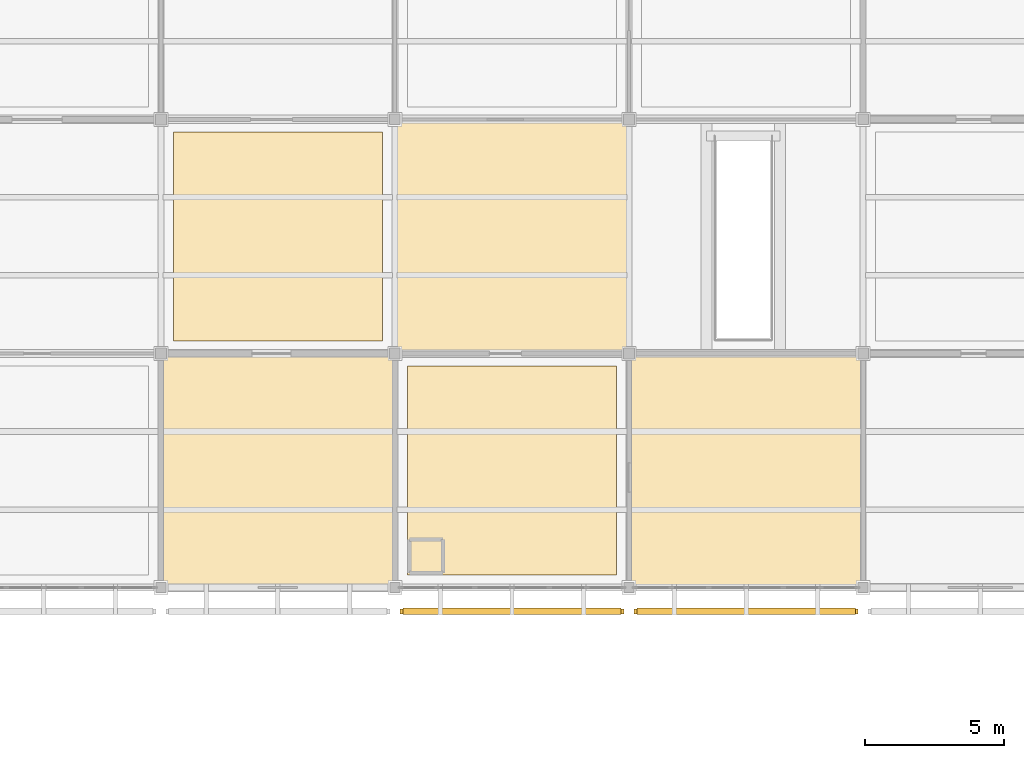
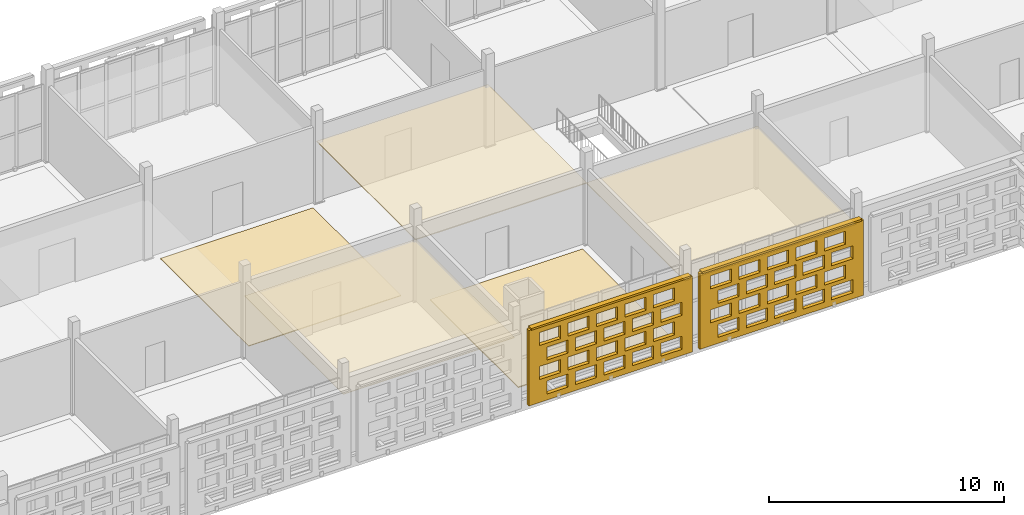
# One storey, part 151 of 203: 7 coverings, 2 shading devices, 40 openings.
"""IFC4 building model written with IfcOpenShell, lengths in metres."""

import ifcopenshell
import ifcopenshell.guid

model = None  # the IFC model being written
_history = None  # IfcOwnerHistory: only IFC2X3 demands one
_inside = {}  # id of a spatial element -> (the spatial element, [elements in it])
_under = {}  # id of a project, library or spatial element -> (it, [spatial elements below it])
_declared = {}  # id of a project -> (the project, [libraries it declares])
_typed = {}  # id of a type object -> (the type object, [elements of that type])
_made_of = {}  # id of a material, layer set ... -> (it, [elements and type objects made of it])


def new_model(schema):
    """Start an empty IFC model of exactly this schema.

    Asked for "IFC4X3", IfcOpenShell would pick the latest addendum, in which some entities
    have other attributes; the version numbers below select the first issue.
    IFC2X3 requires an IfcOwnerHistory on every rooted entity: one is made here for all.
    """
    global model, _history
    if schema == "IFC4X3":
        model = ifcopenshell.file(schema_version=(4, 3, 0, 0))
    else:
        model = ifcopenshell.file(schema=schema)
    _inside.clear()
    _under.clear()
    _declared.clear()
    _typed.clear()
    _made_of.clear()
    _history = None
    if model.schema == "IFC2X3":
        org = make("IfcOrganization", Name="unknown")
        user = make(
            "IfcPersonAndOrganization",
            ThePerson=make("IfcPerson", FamilyName="unknown"),
            TheOrganization=org,
        )
        app = make(
            "IfcApplication",
            ApplicationDeveloper=org,
            Version="unknown",
            ApplicationFullName="unknown",
            ApplicationIdentifier="unknown",
        )
        _history = make(
            "IfcOwnerHistory",
            OwningUser=user,
            OwningApplication=app,
            ChangeAction="ADDED",
            CreationDate=0,
        )
    return model


def make(cls, **values):
    """One entity of the class cls with the attributes given. An attribute that is None is left unset."""
    return model.create_entity(
        cls, **{name: value for name, value in values.items() if value is not None}
    )


def rooted(cls, **values):
    """An entity with a GlobalId (a new one), such as an element, a storey or a relation."""
    return make(cls, GlobalId=ifcopenshell.guid.new(), OwnerHistory=_history, **values)


def si_unit(unit_type, name, prefix=None):
    """IfcSIUnit, for example si_unit("LENGTHUNIT", "METRE", prefix="MILLI")."""
    return make("IfcSIUnit", UnitType=unit_type, Prefix=prefix, Name=name)


def assignment(units):
    """IfcUnitAssignment: the units of a project."""
    return None if units is None else make("IfcUnitAssignment", Units=units)


def point(xyz):
    """IfcCartesianPoint."""
    return None if xyz is None else make("IfcCartesianPoint", Coordinates=xyz)


def direction(xyz):
    """IfcDirection."""
    return None if xyz is None else make("IfcDirection", DirectionRatios=xyz)


def frame(location, z_axis=None, x_axis=None):
    """IfcAxis2Placement3D, a coordinate frame: its origin and axes. An axis left out is left unset."""
    return make(
        "IfcAxis2Placement3D",
        Location=point(location),
        Axis=direction(z_axis),
        RefDirection=direction(x_axis),
    )


def frame_2d(location, x_axis=None):
    """IfcAxis2Placement2D, a coordinate frame in the plane: its origin and x axis."""
    return make(
        "IfcAxis2Placement2D", Location=point(location), RefDirection=direction(x_axis)
    )


def origin():
    """The frame at (0, 0, 0) with its axes left unset."""
    return frame((0.0, 0.0, 0.0))


def origin_2d():
    """The frame at (0, 0) in the plane with its x axis left unset."""
    return frame_2d((0.0, 0.0))


def place(relative_to, where):
    """IfcLocalPlacement: puts the frame where relative to a parent placement (None: the world)."""
    return make(
        "IfcLocalPlacement", PlacementRelTo=relative_to, RelativePlacement=where
    )


def context(
    kind, dimensions, precision=None, world=None, true_north=None, identifier=None
):
    """IfcGeometricRepresentationContext, for example the 3D "Model" context."""
    return make(
        "IfcGeometricRepresentationContext",
        ContextIdentifier=identifier,
        ContextType=kind,
        CoordinateSpaceDimension=dimensions,
        Precision=precision,
        WorldCoordinateSystem=world,
        TrueNorth=true_north,
    )


def subcontext(parent, identifier, kind, view, scale=None):
    """IfcGeometricRepresentationSubContext, for example "Body" below "Model"."""
    return make(
        "IfcGeometricRepresentationSubContext",
        ContextIdentifier=identifier,
        ContextType=kind,
        ParentContext=parent,
        TargetScale=scale,
        TargetView=view,
    )


def project(units=None, contexts=None):
    """IfcProject with its units and contexts."""
    return rooted(
        "IfcProject",
        Name="project",
        RepresentationContexts=contexts,
        UnitsInContext=assignment(units),
    )


def spatial(cls, under=None, at=None, **own):
    """A site, building, storey or space (cls), placed at a placement, below another one or the project."""
    s = rooted(cls, ObjectPlacement=at, **own)
    if under is not None:
        _under.setdefault(under.id(), (under, []))[1].append(s)
    return s


def profile(cls, at=None, kind="AREA", **sizes):
    """A parametric profile (cls). Its sizes go by their IFC names, for example OverallWidth=200.0."""
    return make(cls, ProfileType=kind, Position=at, **sizes)


def rectangle(**sizes):
    """IfcRectangleProfileDef."""
    return profile("IfcRectangleProfileDef", **sizes)


def extrude(swept, where, along, depth):
    """IfcExtrudedAreaSolid: the profile swept, set in the frame where, extruded along a direction by depth."""
    return make(
        "IfcExtrudedAreaSolid",
        SweptArea=swept,
        Position=where,
        ExtrudedDirection=direction(along),
        Depth=depth,
    )


def shape(context_of_items, identifier, shape_type, items):
    """IfcShapeRepresentation: the items that make up one representation, for example the "Body"."""
    return make(
        "IfcShapeRepresentation",
        ContextOfItems=context_of_items,
        RepresentationIdentifier=identifier,
        RepresentationType=shape_type,
        Items=items,
    )


def material(Name=None, Category=None):
    """IfcMaterial."""
    return make("IfcMaterial", Name=Name, Category=Category)


def layer(
    of_material, thickness, ventilated=None, Name=None, Category=None, Priority=None
):
    """IfcMaterialLayer: one layer of a wall or slab, of a material (None: an air gap)."""
    return make(
        "IfcMaterialLayer",
        Material=of_material,
        LayerThickness=thickness,
        IsVentilated=ventilated,
        Name=Name,
        Category=Category,
        Priority=Priority,
    )


def layer_set(layers, Name=None):
    """IfcMaterialLayerSet."""
    return make("IfcMaterialLayerSet", MaterialLayers=layers, LayerSetName=Name)


def made_of(thing, what):
    """Note that an element or type object is made of a material, layer set ...; save() writes the relation."""
    if what is not None:
        _made_of.setdefault(what.id(), (what, []))[1].append(thing)
    return thing


def type_object(cls, material=None, **own):
    """A type object (cls), such as IfcWallType, which elements share."""
    return made_of(rooted(cls, **own), material)


def element(
    cls,
    number,
    at=None,
    inside=None,
    cuts=None,
    type_object=None,
    material=None,
    context=None,
    identifier="Body",
    shape_type=None,
    held_by="IfcProductDefinitionShape",
    body=None,
    shapes=None,
    **own,
):
    """One element of the class cls, such as IfcWall. Its Tag is "e" and its number.

    at: its placement. inside: the storey or other place that contains it. cuts: it is an
    opening in that element (IfcRelVoidsElement). A single representation is given by context,
    identifier, shape_type and body (its items); several are given by shapes. held_by: the class
    of the entity that holds the representations. save() writes the other relations.
    """
    e = rooted(cls, Tag="e%d" % number, ObjectPlacement=at, **own)
    if body is not None:
        shapes = [shape(context, identifier, shape_type, body)]
    if shapes is not None:
        e.Representation = make(held_by, Representations=shapes)
    if inside is not None:
        _inside.setdefault(inside.id(), (inside, []))[1].append(e)
    if cuts is not None:
        rooted(
            "IfcRelVoidsElement", RelatingBuildingElement=cuts, RelatedOpeningElement=e
        )
    if type_object is not None:
        _typed.setdefault(type_object.id(), (type_object, []))[1].append(e)
    return made_of(e, material)


def aggregate(whole, parts):
    """IfcRelAggregates: a whole, such as a stair, and the parts it consists of."""
    return rooted("IfcRelAggregates", RelatingObject=whole, RelatedObjects=parts)


def save(model, path):
    """Write the relations noted so far, then the file.

    IfcRelAggregates (storeys below a building ...), IfcRelContainedInSpatialStructure (elements
    in a storey), IfcRelDefinesByType, IfcRelAssociatesMaterial and IfcRelDeclares: one each for
    every whole, place, type object, material and project.
    """
    for whole, parts in _under.values():
        aggregate(whole, parts)
    for where, things in _inside.values():
        rooted(
            "IfcRelContainedInSpatialStructure",
            RelatedElements=things,
            RelatingStructure=where,
        )
    for kind, things in _typed.values():
        rooted("IfcRelDefinesByType", RelatedObjects=things, RelatingType=kind)
    for what, things in _made_of.values():
        rooted("IfcRelAssociatesMaterial", RelatedObjects=things, RelatingMaterial=what)
    for by, libraries in _declared.values():
        rooted("IfcRelDeclares", RelatingContext=by, RelatedDefinitions=libraries)
    model.write(path)


model = new_model("IFC4")

# Units and contexts
model_context = context("Model", 3, precision=1e-05, world=origin(), true_north=direction((0.0, 1.0)))
body_context = subcontext(model_context, "Body", "Model", "MODEL_VIEW")
ifc_project = project(units=[si_unit("LENGTHUNIT", "METRE"), si_unit("AREAUNIT", "SQUARE_METRE"), si_unit("VOLUMEUNIT", "CUBIC_METRE"), si_unit("PLANEANGLEUNIT", "RADIAN"), si_unit("MASSUNIT", "GRAM", prefix="KILO")], contexts=[model_context])

# Site, building, storey
site_placement = place(None, origin())
site = spatial("IfcSite", under=ifc_project, at=site_placement, CompositionType="ELEMENT")
building_placement = place(site_placement, origin())
building = spatial("IfcBuilding", under=site, at=building_placement, Name="Varnapada Polytechnic", CompositionType="ELEMENT")
storey_placement = place(building_placement, frame((0.0, 0.0, 4.800048828125)))
storey = spatial("IfcBuildingStorey", under=building, at=storey_placement, Name="L01", CompositionType="ELEMENT", Elevation=4.800048828125)

# Coverings
ifc_material_1 = material(Name="End-Grain Timber Studio Block Flooring", Category="wood")
ifc_layer_1 = layer(ifc_material_1, 0.054931640625)
ifc_layer_set_1 = layer_set([ifc_layer_1], Name="End-Grain Timber Studio Block Flooring")
covering_type_1 = type_object("IfcCoveringType", Name="Floor Finish FLR-04", PredefinedType="FLOORING", material=ifc_layer_set_1)
covering_1_placement = place(storey_placement, frame((105.0, 21.0, 0.0), z_axis=(0.0, 0.0, 1.0), x_axis=(1.0, 0.0, 0.0)))
element("IfcCovering", 1, at=covering_1_placement, inside=storey, type_object=covering_type_1, Name="L01 floor finish panel (13,3)", PredefinedType="FLOORING", context=body_context, shape_type="SweptSolid", body=[
    extrude(rectangle(XDim=7.5, YDim=7.5, at=origin_2d()), origin(), (0.0, 0.0, 1.0), 0.054931640625),
])
ifc_material_2 = material(Name="Acoustic Rubber Seminar Flooring")
ifc_layer_2 = layer(ifc_material_2, 0.0400390625)
ifc_layer_set_2 = layer_set([ifc_layer_2], Name="Acoustic Rubber Seminar Flooring")
covering_type_2 = type_object("IfcCoveringType", Name="Floor Finish FLR-06", PredefinedType="FLOORING", material=ifc_layer_set_2)
covering_2_placement = place(storey_placement, frame((96.60009765625, 29.39990234375, 0.0), z_axis=(0.0, 0.0, 1.0), x_axis=(1.0, 0.0, 0.0)))
element("IfcCovering", 2, at=covering_2_placement, inside=storey, type_object=covering_type_2, Name="L01 floor finish panel (12,4)", PredefinedType="FLOORING", context=body_context, shape_type="SweptSolid", body=[
    extrude(rectangle(XDim=7.5, YDim=7.5, at=origin_2d()), origin(), (0.0, 0.0, 1.0), 0.0400390625),
])
ifc_material_3 = material(Name="Perforated Timber Slatted Baffle Ceiling", Category="wood")
ifc_layer_3 = layer(ifc_material_3, 0.050048828125)
ifc_layer_set_3 = layer_set([ifc_layer_3], Name="Perforated Timber Slatted Baffle Ceiling")
covering_type_3 = type_object("IfcCoveringType", Name="Suspended Ceiling CLG-02", PredefinedType="CEILING", material=ifc_layer_set_3)
covering_3_placement = place(storey_placement, frame((105.0, 29.39990234375, 3.02490234375), z_axis=(0.0, 0.0, 1.0), x_axis=(1.0, 0.0, 0.0)))
element("IfcCovering", 3, at=covering_3_placement, inside=storey, type_object=covering_type_3, Name="L01 suspended acoustic ceiling (13,4)", PredefinedType="CEILING", context=body_context, shape_type="SweptSolid", body=[
    extrude(rectangle(XDim=8.419921875, YDim=8.419921875, at=origin_2d()), origin(), (0.0, 0.0, 1.0), 0.050048828125),
])
ifc_material_4 = material(Name="Moisture-Resistant Aluminum Baffle Ceiling", Category="aluminium")
ifc_layer_4 = layer(ifc_material_4, 0.030029296875)
ifc_layer_set_4 = layer_set([ifc_layer_4], Name="Moisture-Resistant Aluminum Baffle Ceiling")
covering_type_4 = type_object("IfcCoveringType", Name="Suspended Ceiling CLG-03", PredefinedType="CEILING", material=ifc_layer_set_4)
covering_4_placement = place(storey_placement, frame((96.60009765625, 21.0, 3.03515625), z_axis=(0.0, 0.0, 1.0), x_axis=(1.0, 0.0, 0.0)))
element("IfcCovering", 4, at=covering_4_placement, inside=storey, type_object=covering_type_4, Name="L01 suspended acoustic ceiling (12,3)", PredefinedType="CEILING", context=body_context, shape_type="SweptSolid", body=[
    extrude(rectangle(XDim=8.419921875, YDim=8.419921875, at=origin_2d()), origin(), (0.0, 0.0, 1.0), 0.030029296875),
])
ifc_material_5 = material(Name="Cleanroom Laboratory Metal Pan Ceiling")
ifc_layer_5 = layer(ifc_material_5, 0.034912109375)
ifc_layer_set_5 = layer_set([ifc_layer_5], Name="Cleanroom Laboratory Metal Pan Ceiling")
covering_type_5 = type_object("IfcCoveringType", Name="Suspended Ceiling CLG-06", PredefinedType="CEILING", material=ifc_layer_set_5)
covering_5_placement = place(storey_placement, frame((113.39990234375, 21.0, 3.03271484375), z_axis=(0.0, 0.0, 1.0), x_axis=(1.0, 0.0, 0.0)))
element("IfcCovering", 5, at=covering_5_placement, inside=storey, type_object=covering_type_5, Name="L01 suspended acoustic ceiling (14,3)", PredefinedType="CEILING", context=body_context, shape_type="SweptSolid", body=[
    extrude(rectangle(XDim=8.419921875, YDim=8.419921875, at=origin_2d()), origin(), (0.0, 0.0, 1.0), 0.034912109375),
])

# Covering, openings
ifc_material_6 = material(Name="Earth-toned architectural terracotta screen block", Category="masonry")
ifc_layer_6 = layer(ifc_material_6, 0.1201171875)
ifc_layer_set_6 = layer_set([ifc_layer_6], Name="Earth-toned architectural terracotta screen block")
covering_type_6 = type_object("IfcCoveringType", Name="Terracotta Screen Cladding CLD-01", PredefinedType="CLADDING", material=ifc_layer_set_6)
covering_6_placement = place(storey_placement, frame((109.02001953125, 15.949951171875, 0.0), z_axis=(0.0, 0.0, 1.0), x_axis=(-1.0, 0.0, 0.0)))
covering_6 = element("IfcCovering", 6, at=covering_6_placement, inside=storey, type_object=covering_type_6, Name="L01 perforated terracotta block screen (84)", PredefinedType="CLADDING", context=body_context, shape_type="SweptSolid", body=[
    extrude(rectangle(XDim=8.0400390625, YDim=0.179931640625, at=frame_2d((4.02001953125, 0.0))), origin(), (0.0, 0.0, 1.0), 3.919921875),
])
opening_1_placement = place(covering_6_placement, frame((0.52001953125, 0.0, 0.313720703125)))
element("IfcOpeningElement", 7, at=opening_1_placement, cuts=covering_6, Name="Screen perforation TBS-L01-083.1", PredefinedType="OPENING", context=body_context, shape_type="SweptSolid", body=[
    extrude(rectangle(XDim=1.0400390625, YDim=0.679931640625, at=frame_2d((0.52001953125, 0.33984375))), frame((0.0, 0.099853515625, 0.0), z_axis=(0.0, -1.0, 0.0), x_axis=(1.0, 0.0, 0.0)), (0.0, 0.0, 1.0), 0.199951171875),
])
opening_2_placement = place(covering_6_placement, frame((1.919921875, 0.0, 0.313720703125)))
element("IfcOpeningElement", 8, at=opening_2_placement, cuts=covering_6, Name="Screen perforation TBS-L01-083.2", PredefinedType="OPENING", context=body_context, shape_type="SweptSolid", body=[
    extrude(rectangle(XDim=1.0400390625, YDim=0.679931640625, at=frame_2d((0.52001953125, 0.33984375))), frame((0.0, 0.099853515625, 0.0), z_axis=(0.0, -1.0, 0.0), x_axis=(1.0, 0.0, 0.0)), (0.0, 0.0, 1.0), 0.199951171875),
])
opening_3_placement = place(covering_6_placement, frame((3.320068359375, 0.0, 0.313720703125)))
element("IfcOpeningElement", 9, at=opening_3_placement, cuts=covering_6, Name="Screen perforation TBS-L01-083.3", PredefinedType="OPENING", context=body_context, shape_type="SweptSolid", body=[
    extrude(rectangle(XDim=1.0400390625, YDim=0.679931640625, at=frame_2d((0.52001953125, 0.33984375))), frame((0.0, 0.099853515625, 0.0), z_axis=(0.0, -1.0, 0.0), x_axis=(1.0, 0.0, 0.0)), (0.0, 0.0, 1.0), 0.199951171875),
])
opening_4_placement = place(covering_6_placement, frame((4.719970703125, 0.0, 0.313720703125)))
element("IfcOpeningElement", 10, at=opening_4_placement, cuts=covering_6, Name="Screen perforation TBS-L01-083.4", PredefinedType="OPENING", context=body_context, shape_type="SweptSolid", body=[
    extrude(rectangle(XDim=1.0400390625, YDim=0.679931640625, at=frame_2d((0.52001953125, 0.33984375))), frame((0.0, 0.099853515625, 0.0), z_axis=(0.0, -1.0, 0.0), x_axis=(1.0, 0.0, 0.0)), (0.0, 0.0, 1.0), 0.199951171875),
])
opening_5_placement = place(covering_6_placement, frame((6.1201171875, 0.0, 0.313720703125)))
element("IfcOpeningElement", 11, at=opening_5_placement, cuts=covering_6, Name="Screen perforation TBS-L01-083.5", PredefinedType="OPENING", context=body_context, shape_type="SweptSolid", body=[
    extrude(rectangle(XDim=1.0400390625, YDim=0.679931640625, at=frame_2d((0.52001953125, 0.33984375))), frame((0.0, 0.099853515625, 0.0), z_axis=(0.0, -1.0, 0.0), x_axis=(1.0, 0.0, 0.0)), (0.0, 0.0, 1.0), 0.199951171875),
])
opening_6_placement = place(covering_6_placement, frame((0.8798828125, 0.0, 1.195556640625)))
element("IfcOpeningElement", 12, at=opening_6_placement, cuts=covering_6, Name="Screen perforation TBS-L01-083.6", PredefinedType="OPENING", context=body_context, shape_type="SweptSolid", body=[
    extrude(rectangle(XDim=1.0400390625, YDim=0.679931640625, at=frame_2d((0.52001953125, 0.33984375))), frame((0.0, 0.099853515625, 0.0), z_axis=(0.0, -1.0, 0.0), x_axis=(1.0, 0.0, 0.0)), (0.0, 0.0, 1.0), 0.199951171875),
])
opening_7_placement = place(covering_6_placement, frame((2.280029296875, 0.0, 1.195556640625)))
element("IfcOpeningElement", 13, at=opening_7_placement, cuts=covering_6, Name="Screen perforation TBS-L01-083.7", PredefinedType="OPENING", context=body_context, shape_type="SweptSolid", body=[
    extrude(rectangle(XDim=1.0400390625, YDim=0.679931640625, at=frame_2d((0.52001953125, 0.33984375))), frame((0.0, 0.099853515625, 0.0), z_axis=(0.0, -1.0, 0.0), x_axis=(1.0, 0.0, 0.0)), (0.0, 0.0, 1.0), 0.199951171875),
])
opening_8_placement = place(covering_6_placement, frame((3.679931640625, 0.0, 1.195556640625)))
element("IfcOpeningElement", 14, at=opening_8_placement, cuts=covering_6, Name="Screen perforation TBS-L01-083.8", PredefinedType="OPENING", context=body_context, shape_type="SweptSolid", body=[
    extrude(rectangle(XDim=1.0400390625, YDim=0.679931640625, at=frame_2d((0.52001953125, 0.33984375))), frame((0.0, 0.099853515625, 0.0), z_axis=(0.0, -1.0, 0.0), x_axis=(1.0, 0.0, 0.0)), (0.0, 0.0, 1.0), 0.199951171875),
])
opening_9_placement = place(covering_6_placement, frame((5.080078125, 0.0, 1.195556640625)))
element("IfcOpeningElement", 15, at=opening_9_placement, cuts=covering_6, Name="Screen perforation TBS-L01-083.9", PredefinedType="OPENING", context=body_context, shape_type="SweptSolid", body=[
    extrude(rectangle(XDim=1.0400390625, YDim=0.679931640625, at=frame_2d((0.52001953125, 0.33984375))), frame((0.0, 0.099853515625, 0.0), z_axis=(0.0, -1.0, 0.0), x_axis=(1.0, 0.0, 0.0)), (0.0, 0.0, 1.0), 0.199951171875),
])
opening_10_placement = place(covering_6_placement, frame((6.47998046875, 0.0, 1.195556640625)))
element("IfcOpeningElement", 16, at=opening_10_placement, cuts=covering_6, Name="Screen perforation TBS-L01-083.10", PredefinedType="OPENING", context=body_context, shape_type="SweptSolid", body=[
    extrude(rectangle(XDim=1.0400390625, YDim=0.679931640625, at=frame_2d((0.52001953125, 0.33984375))), frame((0.0, 0.099853515625, 0.0), z_axis=(0.0, -1.0, 0.0), x_axis=(1.0, 0.0, 0.0)), (0.0, 0.0, 1.0), 0.199951171875),
])
opening_11_placement = place(covering_6_placement, frame((0.52001953125, 0.0, 2.07763671875)))
element("IfcOpeningElement", 17, at=opening_11_placement, cuts=covering_6, Name="Screen perforation TBS-L01-083.11", PredefinedType="OPENING", context=body_context, shape_type="SweptSolid", body=[
    extrude(rectangle(XDim=1.0400390625, YDim=0.679931640625, at=frame_2d((0.52001953125, 0.33984375))), frame((0.0, 0.099853515625, 0.0), z_axis=(0.0, -1.0, 0.0), x_axis=(1.0, 0.0, 0.0)), (0.0, 0.0, 1.0), 0.199951171875),
])
opening_12_placement = place(covering_6_placement, frame((1.919921875, 0.0, 2.07763671875)))
element("IfcOpeningElement", 18, at=opening_12_placement, cuts=covering_6, Name="Screen perforation TBS-L01-083.12", PredefinedType="OPENING", context=body_context, shape_type="SweptSolid", body=[
    extrude(rectangle(XDim=1.0400390625, YDim=0.679931640625, at=frame_2d((0.52001953125, 0.33984375))), frame((0.0, 0.099853515625, 0.0), z_axis=(0.0, -1.0, 0.0), x_axis=(1.0, 0.0, 0.0)), (0.0, 0.0, 1.0), 0.199951171875),
])
opening_13_placement = place(covering_6_placement, frame((3.320068359375, 0.0, 2.07763671875)))
element("IfcOpeningElement", 19, at=opening_13_placement, cuts=covering_6, Name="Screen perforation TBS-L01-083.13", PredefinedType="OPENING", context=body_context, shape_type="SweptSolid", body=[
    extrude(rectangle(XDim=1.0400390625, YDim=0.679931640625, at=frame_2d((0.52001953125, 0.33984375))), frame((0.0, 0.099853515625, 0.0), z_axis=(0.0, -1.0, 0.0), x_axis=(1.0, 0.0, 0.0)), (0.0, 0.0, 1.0), 0.199951171875),
])
opening_14_placement = place(covering_6_placement, frame((4.719970703125, 0.0, 2.07763671875)))
element("IfcOpeningElement", 20, at=opening_14_placement, cuts=covering_6, Name="Screen perforation TBS-L01-083.14", PredefinedType="OPENING", context=body_context, shape_type="SweptSolid", body=[
    extrude(rectangle(XDim=1.0400390625, YDim=0.679931640625, at=frame_2d((0.52001953125, 0.33984375))), frame((0.0, 0.099853515625, 0.0), z_axis=(0.0, -1.0, 0.0), x_axis=(1.0, 0.0, 0.0)), (0.0, 0.0, 1.0), 0.199951171875),
])
opening_15_placement = place(covering_6_placement, frame((6.1201171875, 0.0, 2.07763671875)))
element("IfcOpeningElement", 21, at=opening_15_placement, cuts=covering_6, Name="Screen perforation TBS-L01-083.15", PredefinedType="OPENING", context=body_context, shape_type="SweptSolid", body=[
    extrude(rectangle(XDim=1.0400390625, YDim=0.679931640625, at=frame_2d((0.52001953125, 0.33984375))), frame((0.0, 0.099853515625, 0.0), z_axis=(0.0, -1.0, 0.0), x_axis=(1.0, 0.0, 0.0)), (0.0, 0.0, 1.0), 0.199951171875),
])
opening_16_placement = place(covering_6_placement, frame((0.8798828125, 0.0, 2.959716796875)))
element("IfcOpeningElement", 22, at=opening_16_placement, cuts=covering_6, Name="Screen perforation TBS-L01-083.16", PredefinedType="OPENING", context=body_context, shape_type="SweptSolid", body=[
    extrude(rectangle(XDim=1.0400390625, YDim=0.679931640625, at=frame_2d((0.52001953125, 0.33984375))), frame((0.0, 0.099853515625, 0.0), z_axis=(0.0, -1.0, 0.0), x_axis=(1.0, 0.0, 0.0)), (0.0, 0.0, 1.0), 0.199951171875),
])
opening_17_placement = place(covering_6_placement, frame((2.280029296875, 0.0, 2.959716796875)))
element("IfcOpeningElement", 23, at=opening_17_placement, cuts=covering_6, Name="Screen perforation TBS-L01-083.17", PredefinedType="OPENING", context=body_context, shape_type="SweptSolid", body=[
    extrude(rectangle(XDim=1.0400390625, YDim=0.679931640625, at=frame_2d((0.52001953125, 0.33984375))), frame((0.0, 0.099853515625, 0.0), z_axis=(0.0, -1.0, 0.0), x_axis=(1.0, 0.0, 0.0)), (0.0, 0.0, 1.0), 0.199951171875),
])
opening_18_placement = place(covering_6_placement, frame((3.679931640625, 0.0, 2.959716796875)))
element("IfcOpeningElement", 24, at=opening_18_placement, cuts=covering_6, Name="Screen perforation TBS-L01-083.18", PredefinedType="OPENING", context=body_context, shape_type="SweptSolid", body=[
    extrude(rectangle(XDim=1.0400390625, YDim=0.679931640625, at=frame_2d((0.52001953125, 0.33984375))), frame((0.0, 0.099853515625, 0.0), z_axis=(0.0, -1.0, 0.0), x_axis=(1.0, 0.0, 0.0)), (0.0, 0.0, 1.0), 0.199951171875),
])
opening_19_placement = place(covering_6_placement, frame((5.080078125, 0.0, 2.959716796875)))
element("IfcOpeningElement", 25, at=opening_19_placement, cuts=covering_6, Name="Screen perforation TBS-L01-083.19", PredefinedType="OPENING", context=body_context, shape_type="SweptSolid", body=[
    extrude(rectangle(XDim=1.0400390625, YDim=0.679931640625, at=frame_2d((0.52001953125, 0.33984375))), frame((0.0, 0.099853515625, 0.0), z_axis=(0.0, -1.0, 0.0), x_axis=(1.0, 0.0, 0.0)), (0.0, 0.0, 1.0), 0.199951171875),
])
opening_20_placement = place(covering_6_placement, frame((6.47998046875, 0.0, 2.959716796875)))
element("IfcOpeningElement", 26, at=opening_20_placement, cuts=covering_6, Name="Screen perforation TBS-L01-083.20", PredefinedType="OPENING", context=body_context, shape_type="SweptSolid", body=[
    extrude(rectangle(XDim=1.0400390625, YDim=0.679931640625, at=frame_2d((0.52001953125, 0.33984375))), frame((0.0, 0.099853515625, 0.0), z_axis=(0.0, -1.0, 0.0), x_axis=(1.0, 0.0, 0.0)), (0.0, 0.0, 1.0), 0.199951171875),
])

covering_7_placement = place(storey_placement, frame((117.419921875, 15.949951171875, 0.0), z_axis=(0.0, 0.0, 1.0), x_axis=(-1.0, 0.0, 0.0)))
covering_7 = element("IfcCovering", 27, at=covering_7_placement, inside=storey, type_object=covering_type_6, Name="L01 perforated terracotta block screen (90)", PredefinedType="CLADDING", context=body_context, shape_type="SweptSolid", body=[
    extrude(rectangle(XDim=8.0400390625, YDim=0.179931640625, at=frame_2d((4.02001953125, 0.0))), origin(), (0.0, 0.0, 1.0), 3.919921875),
])
opening_21_placement = place(covering_7_placement, frame((0.52001953125, 0.0, 0.313720703125)))
element("IfcOpeningElement", 28, at=opening_21_placement, cuts=covering_7, Name="Screen perforation TBS-L01-089.1", PredefinedType="OPENING", context=body_context, shape_type="SweptSolid", body=[
    extrude(rectangle(XDim=1.0400390625, YDim=0.679931640625, at=frame_2d((0.52001953125, 0.33984375))), frame((0.0, 0.099853515625, 0.0), z_axis=(0.0, -1.0, 0.0), x_axis=(1.0, 0.0, 0.0)), (0.0, 0.0, 1.0), 0.199951171875),
])
opening_22_placement = place(covering_7_placement, frame((1.919921875, 0.0, 0.313720703125)))
element("IfcOpeningElement", 29, at=opening_22_placement, cuts=covering_7, Name="Screen perforation TBS-L01-089.2", PredefinedType="OPENING", context=body_context, shape_type="SweptSolid", body=[
    extrude(rectangle(XDim=1.0400390625, YDim=0.679931640625, at=frame_2d((0.52001953125, 0.33984375))), frame((0.0, 0.099853515625, 0.0), z_axis=(0.0, -1.0, 0.0), x_axis=(1.0, 0.0, 0.0)), (0.0, 0.0, 1.0), 0.199951171875),
])
opening_23_placement = place(covering_7_placement, frame((3.320068359375, 0.0, 0.313720703125)))
element("IfcOpeningElement", 30, at=opening_23_placement, cuts=covering_7, Name="Screen perforation TBS-L01-089.3", PredefinedType="OPENING", context=body_context, shape_type="SweptSolid", body=[
    extrude(rectangle(XDim=1.0400390625, YDim=0.679931640625, at=frame_2d((0.52001953125, 0.33984375))), frame((0.0, 0.099853515625, 0.0), z_axis=(0.0, -1.0, 0.0), x_axis=(1.0, 0.0, 0.0)), (0.0, 0.0, 1.0), 0.199951171875),
])
opening_24_placement = place(covering_7_placement, frame((4.719970703125, 0.0, 0.313720703125)))
element("IfcOpeningElement", 31, at=opening_24_placement, cuts=covering_7, Name="Screen perforation TBS-L01-089.4", PredefinedType="OPENING", context=body_context, shape_type="SweptSolid", body=[
    extrude(rectangle(XDim=1.0400390625, YDim=0.679931640625, at=frame_2d((0.52001953125, 0.33984375))), frame((0.0, 0.099853515625, 0.0), z_axis=(0.0, -1.0, 0.0), x_axis=(1.0, 0.0, 0.0)), (0.0, 0.0, 1.0), 0.199951171875),
])
opening_25_placement = place(covering_7_placement, frame((6.1201171875, 0.0, 0.313720703125)))
element("IfcOpeningElement", 32, at=opening_25_placement, cuts=covering_7, Name="Screen perforation TBS-L01-089.5", PredefinedType="OPENING", context=body_context, shape_type="SweptSolid", body=[
    extrude(rectangle(XDim=1.0400390625, YDim=0.679931640625, at=frame_2d((0.52001953125, 0.33984375))), frame((0.0, 0.099853515625, 0.0), z_axis=(0.0, -1.0, 0.0), x_axis=(1.0, 0.0, 0.0)), (0.0, 0.0, 1.0), 0.199951171875),
])
opening_26_placement = place(covering_7_placement, frame((0.8798828125, 0.0, 1.195556640625)))
element("IfcOpeningElement", 33, at=opening_26_placement, cuts=covering_7, Name="Screen perforation TBS-L01-089.6", PredefinedType="OPENING", context=body_context, shape_type="SweptSolid", body=[
    extrude(rectangle(XDim=1.0400390625, YDim=0.679931640625, at=frame_2d((0.52001953125, 0.33984375))), frame((0.0, 0.099853515625, 0.0), z_axis=(0.0, -1.0, 0.0), x_axis=(1.0, 0.0, 0.0)), (0.0, 0.0, 1.0), 0.199951171875),
])
opening_27_placement = place(covering_7_placement, frame((2.280029296875, 0.0, 1.195556640625)))
element("IfcOpeningElement", 34, at=opening_27_placement, cuts=covering_7, Name="Screen perforation TBS-L01-089.7", PredefinedType="OPENING", context=body_context, shape_type="SweptSolid", body=[
    extrude(rectangle(XDim=1.0400390625, YDim=0.679931640625, at=frame_2d((0.52001953125, 0.33984375))), frame((0.0, 0.099853515625, 0.0), z_axis=(0.0, -1.0, 0.0), x_axis=(1.0, 0.0, 0.0)), (0.0, 0.0, 1.0), 0.199951171875),
])
opening_28_placement = place(covering_7_placement, frame((3.679931640625, 0.0, 1.195556640625)))
element("IfcOpeningElement", 35, at=opening_28_placement, cuts=covering_7, Name="Screen perforation TBS-L01-089.8", PredefinedType="OPENING", context=body_context, shape_type="SweptSolid", body=[
    extrude(rectangle(XDim=1.0400390625, YDim=0.679931640625, at=frame_2d((0.52001953125, 0.33984375))), frame((0.0, 0.099853515625, 0.0), z_axis=(0.0, -1.0, 0.0), x_axis=(1.0, 0.0, 0.0)), (0.0, 0.0, 1.0), 0.199951171875),
])
opening_29_placement = place(covering_7_placement, frame((5.080078125, 0.0, 1.195556640625)))
element("IfcOpeningElement", 36, at=opening_29_placement, cuts=covering_7, Name="Screen perforation TBS-L01-089.9", PredefinedType="OPENING", context=body_context, shape_type="SweptSolid", body=[
    extrude(rectangle(XDim=1.0400390625, YDim=0.679931640625, at=frame_2d((0.52001953125, 0.33984375))), frame((0.0, 0.099853515625, 0.0), z_axis=(0.0, -1.0, 0.0), x_axis=(1.0, 0.0, 0.0)), (0.0, 0.0, 1.0), 0.199951171875),
])
opening_30_placement = place(covering_7_placement, frame((6.47998046875, 0.0, 1.195556640625)))
element("IfcOpeningElement", 37, at=opening_30_placement, cuts=covering_7, Name="Screen perforation TBS-L01-089.10", PredefinedType="OPENING", context=body_context, shape_type="SweptSolid", body=[
    extrude(rectangle(XDim=1.0400390625, YDim=0.679931640625, at=frame_2d((0.52001953125, 0.33984375))), frame((0.0, 0.099853515625, 0.0), z_axis=(0.0, -1.0, 0.0), x_axis=(1.0, 0.0, 0.0)), (0.0, 0.0, 1.0), 0.199951171875),
])
opening_31_placement = place(covering_7_placement, frame((0.52001953125, 0.0, 2.07763671875)))
element("IfcOpeningElement", 38, at=opening_31_placement, cuts=covering_7, Name="Screen perforation TBS-L01-089.11", PredefinedType="OPENING", context=body_context, shape_type="SweptSolid", body=[
    extrude(rectangle(XDim=1.0400390625, YDim=0.679931640625, at=frame_2d((0.52001953125, 0.33984375))), frame((0.0, 0.099853515625, 0.0), z_axis=(0.0, -1.0, 0.0), x_axis=(1.0, 0.0, 0.0)), (0.0, 0.0, 1.0), 0.199951171875),
])
opening_32_placement = place(covering_7_placement, frame((1.919921875, 0.0, 2.07763671875)))
element("IfcOpeningElement", 39, at=opening_32_placement, cuts=covering_7, Name="Screen perforation TBS-L01-089.12", PredefinedType="OPENING", context=body_context, shape_type="SweptSolid", body=[
    extrude(rectangle(XDim=1.0400390625, YDim=0.679931640625, at=frame_2d((0.52001953125, 0.33984375))), frame((0.0, 0.099853515625, 0.0), z_axis=(0.0, -1.0, 0.0), x_axis=(1.0, 0.0, 0.0)), (0.0, 0.0, 1.0), 0.199951171875),
])
opening_33_placement = place(covering_7_placement, frame((3.320068359375, 0.0, 2.07763671875)))
element("IfcOpeningElement", 40, at=opening_33_placement, cuts=covering_7, Name="Screen perforation TBS-L01-089.13", PredefinedType="OPENING", context=body_context, shape_type="SweptSolid", body=[
    extrude(rectangle(XDim=1.0400390625, YDim=0.679931640625, at=frame_2d((0.52001953125, 0.33984375))), frame((0.0, 0.099853515625, 0.0), z_axis=(0.0, -1.0, 0.0), x_axis=(1.0, 0.0, 0.0)), (0.0, 0.0, 1.0), 0.199951171875),
])
opening_34_placement = place(covering_7_placement, frame((4.719970703125, 0.0, 2.07763671875)))
element("IfcOpeningElement", 41, at=opening_34_placement, cuts=covering_7, Name="Screen perforation TBS-L01-089.14", PredefinedType="OPENING", context=body_context, shape_type="SweptSolid", body=[
    extrude(rectangle(XDim=1.0400390625, YDim=0.679931640625, at=frame_2d((0.52001953125, 0.33984375))), frame((0.0, 0.099853515625, 0.0), z_axis=(0.0, -1.0, 0.0), x_axis=(1.0, 0.0, 0.0)), (0.0, 0.0, 1.0), 0.199951171875),
])
opening_35_placement = place(covering_7_placement, frame((6.1201171875, 0.0, 2.07763671875)))
element("IfcOpeningElement", 42, at=opening_35_placement, cuts=covering_7, Name="Screen perforation TBS-L01-089.15", PredefinedType="OPENING", context=body_context, shape_type="SweptSolid", body=[
    extrude(rectangle(XDim=1.0400390625, YDim=0.679931640625, at=frame_2d((0.52001953125, 0.33984375))), frame((0.0, 0.099853515625, 0.0), z_axis=(0.0, -1.0, 0.0), x_axis=(1.0, 0.0, 0.0)), (0.0, 0.0, 1.0), 0.199951171875),
])
opening_36_placement = place(covering_7_placement, frame((0.8798828125, 0.0, 2.959716796875)))
element("IfcOpeningElement", 43, at=opening_36_placement, cuts=covering_7, Name="Screen perforation TBS-L01-089.16", PredefinedType="OPENING", context=body_context, shape_type="SweptSolid", body=[
    extrude(rectangle(XDim=1.0400390625, YDim=0.679931640625, at=frame_2d((0.52001953125, 0.33984375))), frame((0.0, 0.099853515625, 0.0), z_axis=(0.0, -1.0, 0.0), x_axis=(1.0, 0.0, 0.0)), (0.0, 0.0, 1.0), 0.199951171875),
])
opening_37_placement = place(covering_7_placement, frame((2.280029296875, 0.0, 2.959716796875)))
element("IfcOpeningElement", 44, at=opening_37_placement, cuts=covering_7, Name="Screen perforation TBS-L01-089.17", PredefinedType="OPENING", context=body_context, shape_type="SweptSolid", body=[
    extrude(rectangle(XDim=1.0400390625, YDim=0.679931640625, at=frame_2d((0.52001953125, 0.33984375))), frame((0.0, 0.099853515625, 0.0), z_axis=(0.0, -1.0, 0.0), x_axis=(1.0, 0.0, 0.0)), (0.0, 0.0, 1.0), 0.199951171875),
])
opening_38_placement = place(covering_7_placement, frame((3.679931640625, 0.0, 2.959716796875)))
element("IfcOpeningElement", 45, at=opening_38_placement, cuts=covering_7, Name="Screen perforation TBS-L01-089.18", PredefinedType="OPENING", context=body_context, shape_type="SweptSolid", body=[
    extrude(rectangle(XDim=1.0400390625, YDim=0.679931640625, at=frame_2d((0.52001953125, 0.33984375))), frame((0.0, 0.099853515625, 0.0), z_axis=(0.0, -1.0, 0.0), x_axis=(1.0, 0.0, 0.0)), (0.0, 0.0, 1.0), 0.199951171875),
])
opening_39_placement = place(covering_7_placement, frame((5.080078125, 0.0, 2.959716796875)))
element("IfcOpeningElement", 46, at=opening_39_placement, cuts=covering_7, Name="Screen perforation TBS-L01-089.19", PredefinedType="OPENING", context=body_context, shape_type="SweptSolid", body=[
    extrude(rectangle(XDim=1.0400390625, YDim=0.679931640625, at=frame_2d((0.52001953125, 0.33984375))), frame((0.0, 0.099853515625, 0.0), z_axis=(0.0, -1.0, 0.0), x_axis=(1.0, 0.0, 0.0)), (0.0, 0.0, 1.0), 0.199951171875),
])
opening_40_placement = place(covering_7_placement, frame((6.47998046875, 0.0, 2.959716796875)))
element("IfcOpeningElement", 47, at=opening_40_placement, cuts=covering_7, Name="Screen perforation TBS-L01-089.20", PredefinedType="OPENING", context=body_context, shape_type="SweptSolid", body=[
    extrude(rectangle(XDim=1.0400390625, YDim=0.679931640625, at=frame_2d((0.52001953125, 0.33984375))), frame((0.0, 0.099853515625, 0.0), z_axis=(0.0, -1.0, 0.0), x_axis=(1.0, 0.0, 0.0)), (0.0, 0.0, 1.0), 0.199951171875),
])

# Shading devices
ifc_layer_7 = layer(ifc_material_6, 0.179931640625)
ifc_layer_set_7 = layer_set([ifc_layer_7], Name="Earth-toned architectural terracotta screen block")
shading_device_type = type_object("IfcShadingDeviceType", Name="Terracotta Screen SCR-02", PredefinedType="USERDEFINED", material=ifc_layer_set_7)
for number, where, z_axis, x_axis, name in (
    (48, (105.0, 15.949951171875, 3.909912109375), (0.0, 0.0, 1.0), (-1.0, 0.0, 0.0), "L01 perforated terracotta screen hood 163"),
    (49, (113.39990234375, 15.949951171875, 3.909912109375), (0.0, 0.0, 1.0), (-1.0, 0.0, 0.0), "L01 perforated terracotta screen hood 169"),
):
    element("IfcShadingDevice", number, at=place(storey_placement, frame(where, z_axis=z_axis, x_axis=x_axis)), inside=storey, type_object=shading_device_type, Name=name, ObjectType="SCREEN", PredefinedType="USERDEFINED", context=body_context, shape_type="SweptSolid", body=[
        extrude(rectangle(XDim=7.840087890625, YDim=0.239990234375, at=origin_2d()), origin(), (0.0, 0.0, 1.0), 0.10009765625),
    ])

save(model, "model.ifc")
